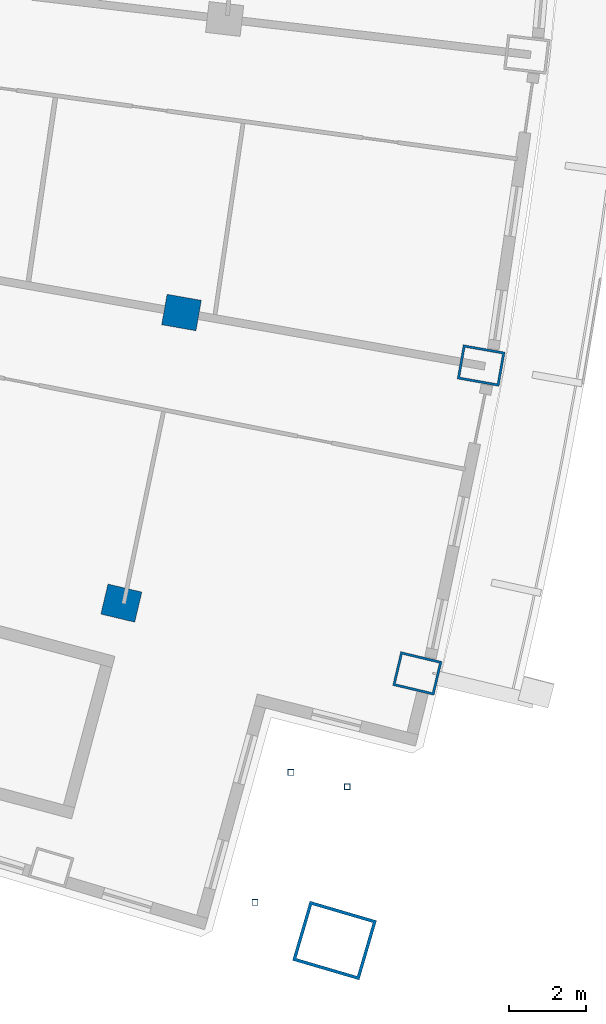
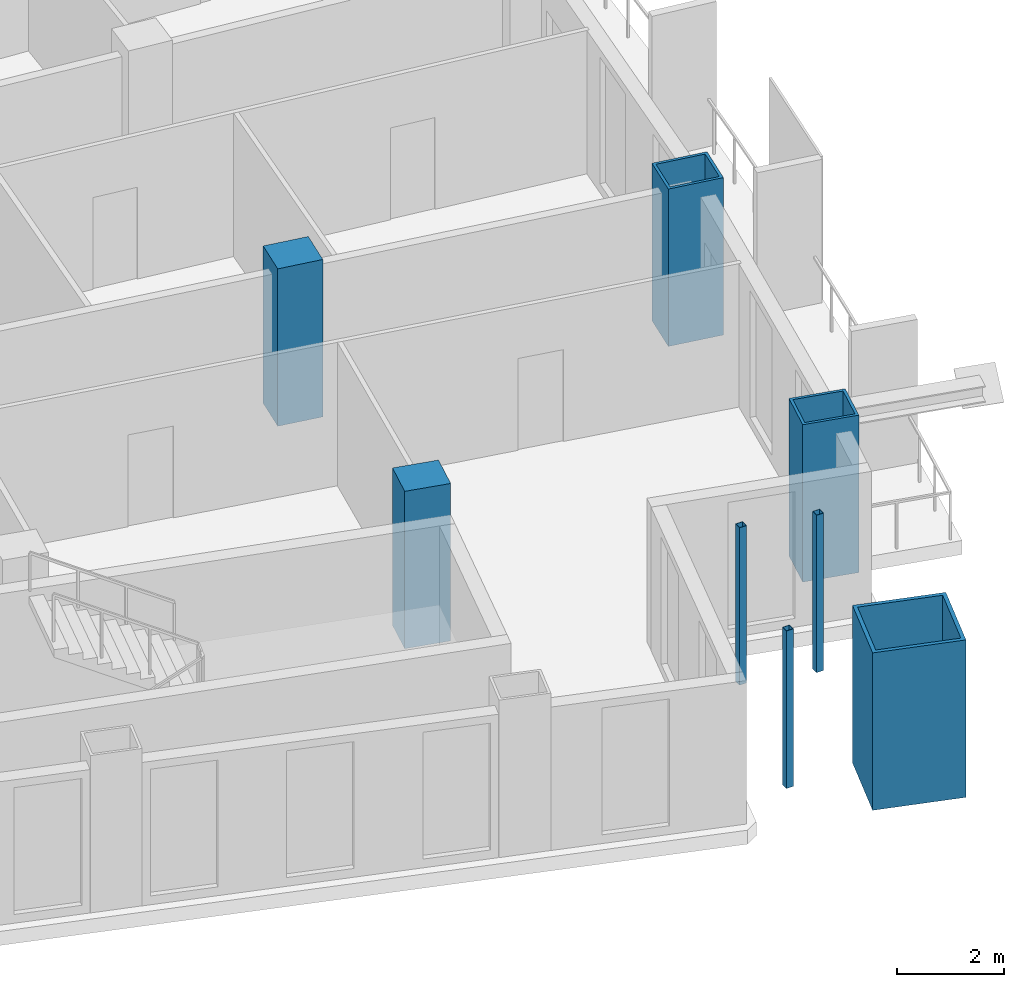
# One storey, part 3 of 20: 8 columns.
"""IFC4 building model written with IfcOpenShell, lengths in metres."""

from ifc_helpers import new_model, si_unit, direction, frame, origin, origin_2d, place, context, subcontext, project, spatial, rectangle, hollow_rectangle, extrude, material, material_profile, profile_set, type_object, element, save


model = new_model("IFC4")

# Units and contexts
model_context = context("Model", 3, precision=1e-05, world=origin(), true_north=direction((0.0, 1.0)))
body_context = subcontext(model_context, "Body", "Model", "MODEL_VIEW")
ifc_project = project(units=[si_unit("LENGTHUNIT", "METRE"), si_unit("AREAUNIT", "SQUARE_METRE"), si_unit("VOLUMEUNIT", "CUBIC_METRE"), si_unit("PLANEANGLEUNIT", "RADIAN"), si_unit("MASSUNIT", "GRAM", prefix="KILO")], contexts=[model_context])

# Site, building, storey
site_placement = place(None, origin())
site = spatial("IfcSite", under=ifc_project, at=site_placement, CompositionType="ELEMENT")
building_placement = place(site_placement, origin())
building = spatial("IfcBuilding", under=site, at=building_placement, Name="Alderwake Tower", CompositionType="ELEMENT")
storey_placement = place(building_placement, frame((0.0, 0.0, 167.60009765625)))
storey = spatial("IfcBuildingStorey", under=building, at=storey_placement, Name="L41", CompositionType="ELEMENT", Elevation=167.60009765625)

# Columns
ifc_material_1 = material(Name="Concrete C70/85", Category="concrete")
ifc_material_profile_1 = material_profile(ifc_material_1, rectangle(XDim=0.800048828125, YDim=0.89990234375, at=origin_2d()), Name="RC 900X800")
ifc_profile_set_1 = profile_set([ifc_material_profile_1], Name="Concrete C70/85")
column_type_1 = type_object("IfcColumnType", Name="Interior column Z3", PredefinedType="COLUMN", material=ifc_profile_set_1)
for number, where, z_axis, x_axis, name in (
    (1, (47.968994140625, 30.586669921875, 0.0), (0.0, 0.0, 1.0), (0.231221547198, 0.972901123502, 0.0), "Column R03-C4"),
    (2, (49.5244140625, 38.09912109375, 0.0), (0.0, 0.0, 1.0), (0.174108800747, 0.984726421654, 0.0), "Column R04-C4"),
):
    element("IfcColumn", number, at=place(storey_placement, frame(where, z_axis=z_axis, x_axis=x_axis)), inside=storey, type_object=column_type_1, Name=name, PredefinedType="COLUMN", context=body_context, shape_type="SweptSolid", body=[
        extrude(rectangle(XDim=0.800048828125, YDim=0.89990234375, at=origin_2d()), origin(), (0.0, 0.0, 1.0), 3.599853515625),
    ])
ifc_material_2 = material(Name="Steel ASTM A500 Grade C", Category="steel")
ifc_material_profile_2 = material_profile(ifc_material_2, hollow_rectangle(XDim=0.15234375, YDim=0.15234375, WallThickness=0.0087890625, at=origin_2d()), Name="HSS6X6X3/8")
ifc_profile_set_2 = profile_set([ifc_material_profile_2], Name="Steel ASTM A500 Grade C")
column_type_2 = type_object("IfcColumnType", Name="Light post HSS6X6X3/8", PredefinedType="COLUMN", material=ifc_profile_set_2)
for number, where, z_axis, x_axis, name in (
    (3, (53.807861328125, 25.840576171875, 0.0), (0.0, 0.0, 1.0), (1.0, 0.0, 0.0), "Terrace post FS1"),
    (4, (51.42431640625, 22.847900390625, 0.0), (0.0, 0.0, 1.0), (1.0, 0.0, 0.0), "Terrace post FS2"),
    (5, (52.353759765625, 26.208740234375, 0.0), (0.0, 0.0, 1.0), (1.0, 0.0, 0.0), "Terrace post FS3"),
):
    element("IfcColumn", number, at=place(storey_placement, frame(where, z_axis=z_axis, x_axis=x_axis)), inside=storey, type_object=column_type_2, Name=name, PredefinedType="COLUMN", context=body_context, shape_type="SweptSolid", body=[
        extrude(hollow_rectangle(XDim=0.15234375, YDim=0.15234375, WallThickness=0.0087890625, at=origin_2d()), origin(), (0.0, 0.0, 1.0), 3.599853515625),
    ])
ifc_material_3 = material(Name="Steel ASTM A572 Grade 50 concrete filled C70/85", Category="concrete")
ifc_material_profile_3 = material_profile(ifc_material_3, hollow_rectangle(XDim=1.60009765625, YDim=1.800048828125, WallThickness=0.080078125, at=origin_2d()), Name="BOX 1800X1600X80")
ifc_profile_set_3 = profile_set([ifc_material_profile_3], Name="Steel ASTM A572 Grade 50 concrete filled C70/85")
column_type_3 = type_object("IfcColumnType", Name="Mega column Z3", PredefinedType="COLUMN", material=ifc_profile_set_3)
column_placement = place(storey_placement, frame((53.480712890625, 21.86279296875, 0.0), z_axis=(0.0, 0.0, 1.0), x_axis=(0.281360158561, 0.959602241126, 0.0)))
element("IfcColumn", 6, at=column_placement, inside=storey, type_object=column_type_3, Name="Column R02-C5", PredefinedType="COLUMN", context=body_context, shape_type="SweptSolid", body=[
    extrude(hollow_rectangle(XDim=1.60009765625, YDim=1.800048828125, WallThickness=0.080078125, at=origin_2d()), origin(), (0.0, 0.0, 1.0), 3.599853515625),
])
ifc_material_4 = material(Name="Steel ASTM A572 Grade 50 concrete filled C70/85", Category="concrete")
ifc_material_profile_4 = material_profile(ifc_material_4, hollow_rectangle(XDim=0.89990234375, YDim=1.10009765625, WallThickness=0.06005859375, at=origin_2d()), Name="BOX 1100X900X60")
ifc_profile_set_4 = profile_set([ifc_material_profile_4], Name="Steel ASTM A572 Grade 50 concrete filled C70/85")
column_type_4 = type_object("IfcColumnType", Name="Perimeter column Z3", PredefinedType="COLUMN", material=ifc_profile_set_4)
for number, where, z_axis, x_axis, name in (
    (7, (55.622314453125, 28.767578125, 0.0), (0.0, 0.0, 1.0), (0.231221547198, 0.972901123502, 0.0), "Column R03-C5"),
    (8, (57.27099609375, 36.729248046875, 0.0), (0.0, 0.0, 1.0), (0.174108800747, 0.984726421654, 0.0), "Column R04-C5"),
):
    element("IfcColumn", number, at=place(storey_placement, frame(where, z_axis=z_axis, x_axis=x_axis)), inside=storey, type_object=column_type_4, Name=name, PredefinedType="COLUMN", context=body_context, shape_type="SweptSolid", body=[
        extrude(hollow_rectangle(XDim=0.89990234375, YDim=1.10009765625, WallThickness=0.06005859375, at=origin_2d()), origin(), (0.0, 0.0, 1.0), 3.599853515625),
    ])

save(model, "model.ifc")
